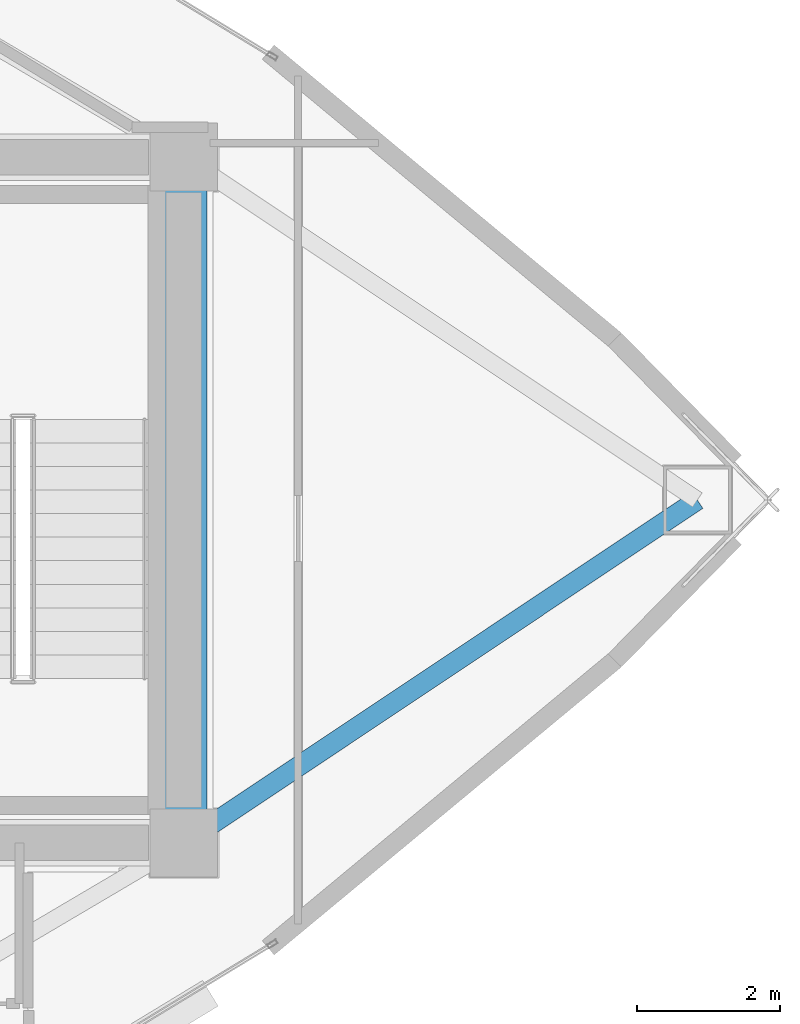
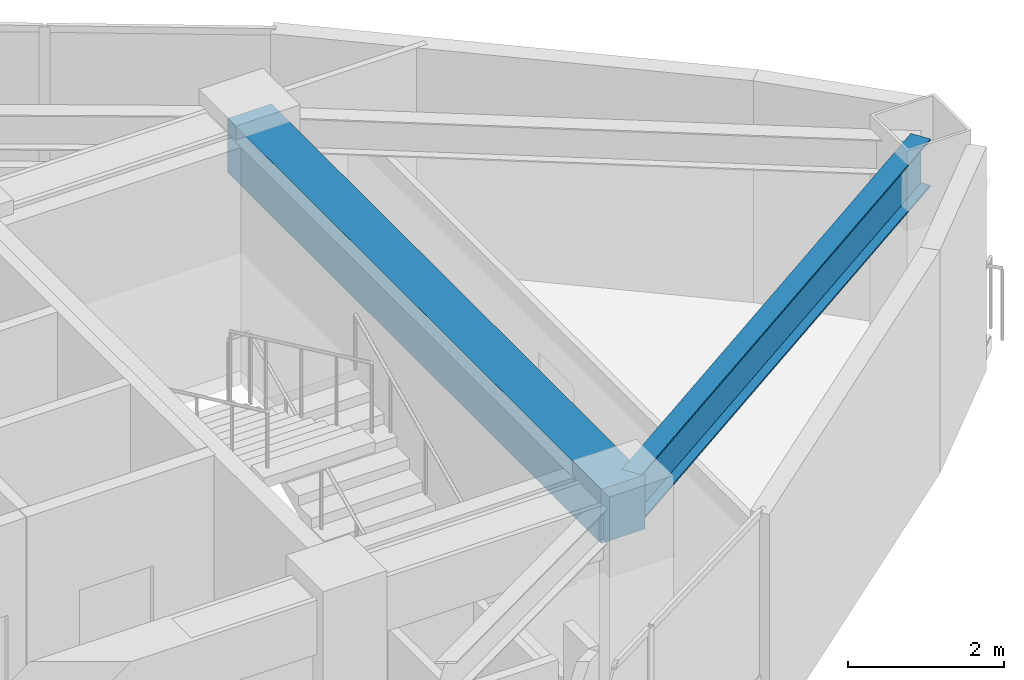
# One storey, part 6 of 15: 2 beams.
"""IFC4 building model written with IfcOpenShell, lengths in metres."""

from ifc_helpers import new_model, si_unit, direction, frame, origin, origin_2d, place, context, subcontext, project, spatial, rectangle, i_section, extrude, material, material_profile, profile_set, type_object, element, save


model = new_model("IFC4")

# Units and contexts
model_context = context("Model", 3, precision=1e-05, world=origin(), true_north=direction((0.0, 1.0)))
body_context = subcontext(model_context, "Body", "Model", "MODEL_VIEW")
ifc_project = project(units=[si_unit("LENGTHUNIT", "METRE"), si_unit("AREAUNIT", "SQUARE_METRE"), si_unit("VOLUMEUNIT", "CUBIC_METRE"), si_unit("PLANEANGLEUNIT", "RADIAN"), si_unit("MASSUNIT", "GRAM", prefix="KILO")], contexts=[model_context])

# Site, building, storey
site_placement = place(None, origin())
site = spatial("IfcSite", under=ifc_project, at=site_placement, CompositionType="ELEMENT")
building_placement = place(site_placement, origin())
building = spatial("IfcBuilding", under=site, at=building_placement, Name="Menara Vayukalpa", CompositionType="ELEMENT")
storey_placement = place(building_placement, frame((0.0, 0.0, 184.080078125)))
storey = spatial("IfcBuildingStorey", under=building, at=storey_placement, Name="L46", CompositionType="ELEMENT", Elevation=184.080078125)

# Beams
ifc_material_1 = material(Name="Concrete C60/75", Category="concrete")
ifc_material_profile_1 = material_profile(ifc_material_1, rectangle(XDim=0.64990234375, YDim=0.85009765625, at=origin_2d()), Name="RC 650x850")
ifc_profile_set_1 = profile_set([ifc_material_profile_1], Name="Concrete C60/75")
beam_type_1 = type_object("IfcBeamType", Name="BM-CB1", PredefinedType="BEAM", material=ifc_profile_set_1)
beam_1_placement = place(storey_placement, frame((33.39990234375, 17.199951171875, 3.074951171875), z_axis=(0.0, 1.0, 0.0), x_axis=(-1.0, 0.0, 0.0)))
element("IfcBeam", 1, at=beam_1_placement, inside=storey, type_object=beam_type_1, Name="L46 Core Tie Beam CBR8", PredefinedType="BEAM", context=body_context, shape_type="SweptSolid", body=[
    extrude(rectangle(XDim=0.64990234375, YDim=0.85009765625, at=origin_2d()), origin(), (0.0, 0.0, 1.0), 9.60009765625),
])
ifc_material_2 = material(Name="Steel S355", Category="steel")
ifc_material_profile_2 = material_profile(ifc_material_2, i_section(OverallWidth=0.280029296875, OverallDepth=0.75, WebThickness=0.013916015625, FlangeThickness=0.02490234375, at=origin_2d()), Name="WF 750x280x14x25")
ifc_profile_set_2 = profile_set([ifc_material_profile_2], Name="Steel S355")
beam_type_2 = type_object("IfcBeamType", Name="BM-PG4", PredefinedType="BEAM", material=ifc_profile_set_2)
beam_2_placement = place(storey_placement, frame((33.60791015625, 17.3388671875, 3.125), z_axis=(0.831719080732, 0.555196695547, 0.0), x_axis=(-0.555196695547, 0.831719080732, 0.0)))
element("IfcBeam", 2, at=beam_2_placement, inside=storey, type_object=beam_type_2, Name="L46 Primary Radial Girder RG01", PredefinedType="BEAM", context=body_context, shape_type="SweptSolid", body=[
    extrude(i_section(OverallWidth=0.280029296875, OverallDepth=0.75, WebThickness=0.013916015625, FlangeThickness=0.02490234375, at=origin_2d()), origin(), (0.0, 0.0, 1.0), 8.3955078125),
])

save(model, "model.ifc")
